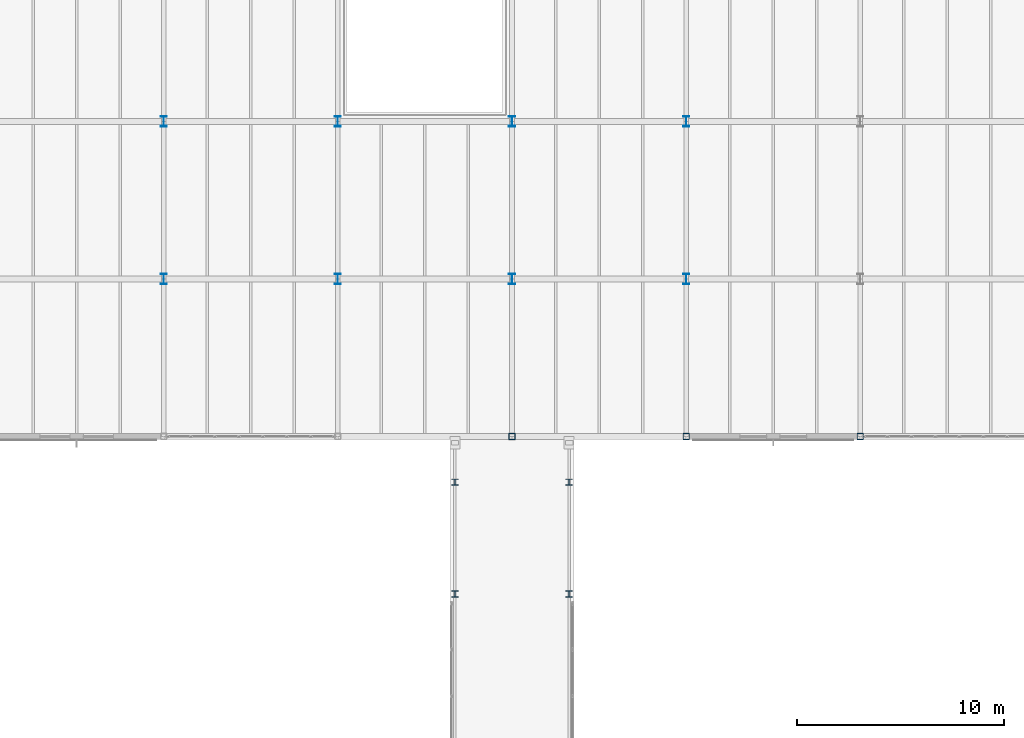
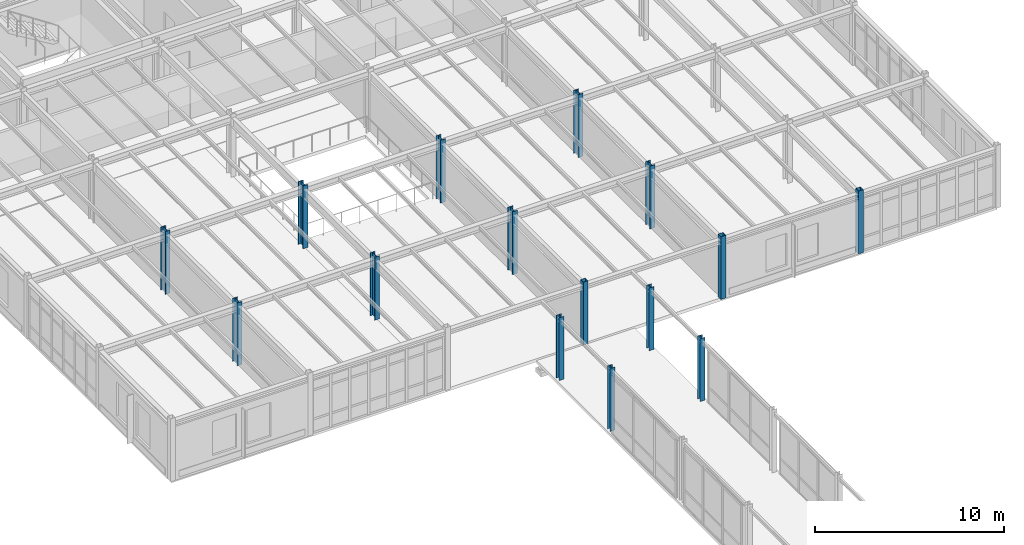
# One storey, part 13 of 165: 15 columns.
"""IFC4 building model written with IfcOpenShell, lengths in metres."""

import ifcopenshell
import ifcopenshell.guid

model = None  # the IFC model being written
_history = None  # IfcOwnerHistory: only IFC2X3 demands one
_inside = {}  # id of a spatial element -> (the spatial element, [elements in it])
_under = {}  # id of a project, library or spatial element -> (it, [spatial elements below it])
_declared = {}  # id of a project -> (the project, [libraries it declares])
_typed = {}  # id of a type object -> (the type object, [elements of that type])
_made_of = {}  # id of a material, layer set ... -> (it, [elements and type objects made of it])


def new_model(schema):
    """Start an empty IFC model of exactly this schema.

    Asked for "IFC4X3", IfcOpenShell would pick the latest addendum, in which some entities
    have other attributes; the version numbers below select the first issue.
    IFC2X3 requires an IfcOwnerHistory on every rooted entity: one is made here for all.
    """
    global model, _history
    if schema == "IFC4X3":
        model = ifcopenshell.file(schema_version=(4, 3, 0, 0))
    else:
        model = ifcopenshell.file(schema=schema)
    _inside.clear()
    _under.clear()
    _declared.clear()
    _typed.clear()
    _made_of.clear()
    _history = None
    if model.schema == "IFC2X3":
        org = make("IfcOrganization", Name="unknown")
        user = make(
            "IfcPersonAndOrganization",
            ThePerson=make("IfcPerson", FamilyName="unknown"),
            TheOrganization=org,
        )
        app = make(
            "IfcApplication",
            ApplicationDeveloper=org,
            Version="unknown",
            ApplicationFullName="unknown",
            ApplicationIdentifier="unknown",
        )
        _history = make(
            "IfcOwnerHistory",
            OwningUser=user,
            OwningApplication=app,
            ChangeAction="ADDED",
            CreationDate=0,
        )
    return model


def make(cls, **values):
    """One entity of the class cls with the attributes given. An attribute that is None is left unset."""
    return model.create_entity(
        cls, **{name: value for name, value in values.items() if value is not None}
    )


def rooted(cls, **values):
    """An entity with a GlobalId (a new one), such as an element, a storey or a relation."""
    return make(cls, GlobalId=ifcopenshell.guid.new(), OwnerHistory=_history, **values)


def si_unit(unit_type, name, prefix=None):
    """IfcSIUnit, for example si_unit("LENGTHUNIT", "METRE", prefix="MILLI")."""
    return make("IfcSIUnit", UnitType=unit_type, Prefix=prefix, Name=name)


def assignment(units):
    """IfcUnitAssignment: the units of a project."""
    return None if units is None else make("IfcUnitAssignment", Units=units)


def point(xyz):
    """IfcCartesianPoint."""
    return None if xyz is None else make("IfcCartesianPoint", Coordinates=xyz)


def direction(xyz):
    """IfcDirection."""
    return None if xyz is None else make("IfcDirection", DirectionRatios=xyz)


def frame(location, z_axis=None, x_axis=None):
    """IfcAxis2Placement3D, a coordinate frame: its origin and axes. An axis left out is left unset."""
    return make(
        "IfcAxis2Placement3D",
        Location=point(location),
        Axis=direction(z_axis),
        RefDirection=direction(x_axis),
    )


def frame_2d(location, x_axis=None):
    """IfcAxis2Placement2D, a coordinate frame in the plane: its origin and x axis."""
    return make(
        "IfcAxis2Placement2D", Location=point(location), RefDirection=direction(x_axis)
    )


def origin():
    """The frame at (0, 0, 0) with its axes left unset."""
    return frame((0.0, 0.0, 0.0))


def origin_2d():
    """The frame at (0, 0) in the plane with its x axis left unset."""
    return frame_2d((0.0, 0.0))


def place(relative_to, where):
    """IfcLocalPlacement: puts the frame where relative to a parent placement (None: the world)."""
    return make(
        "IfcLocalPlacement", PlacementRelTo=relative_to, RelativePlacement=where
    )


def context(
    kind, dimensions, precision=None, world=None, true_north=None, identifier=None
):
    """IfcGeometricRepresentationContext, for example the 3D "Model" context."""
    return make(
        "IfcGeometricRepresentationContext",
        ContextIdentifier=identifier,
        ContextType=kind,
        CoordinateSpaceDimension=dimensions,
        Precision=precision,
        WorldCoordinateSystem=world,
        TrueNorth=true_north,
    )


def subcontext(parent, identifier, kind, view, scale=None):
    """IfcGeometricRepresentationSubContext, for example "Body" below "Model"."""
    return make(
        "IfcGeometricRepresentationSubContext",
        ContextIdentifier=identifier,
        ContextType=kind,
        ParentContext=parent,
        TargetScale=scale,
        TargetView=view,
    )


def project(units=None, contexts=None):
    """IfcProject with its units and contexts."""
    return rooted(
        "IfcProject",
        Name="project",
        RepresentationContexts=contexts,
        UnitsInContext=assignment(units),
    )


def spatial(cls, under=None, at=None, **own):
    """A site, building, storey or space (cls), placed at a placement, below another one or the project."""
    s = rooted(cls, ObjectPlacement=at, **own)
    if under is not None:
        _under.setdefault(under.id(), (under, []))[1].append(s)
    return s


def profile(cls, at=None, kind="AREA", **sizes):
    """A parametric profile (cls). Its sizes go by their IFC names, for example OverallWidth=200.0."""
    return make(cls, ProfileType=kind, Position=at, **sizes)


def hollow_rectangle(**sizes):
    """IfcRectangleHollowProfileDef."""
    return profile("IfcRectangleHollowProfileDef", **sizes)


def i_section(**sizes):
    """IfcIShapeProfileDef."""
    return profile("IfcIShapeProfileDef", **sizes)


def extrude(swept, where, along, depth):
    """IfcExtrudedAreaSolid: the profile swept, set in the frame where, extruded along a direction by depth."""
    return make(
        "IfcExtrudedAreaSolid",
        SweptArea=swept,
        Position=where,
        ExtrudedDirection=direction(along),
        Depth=depth,
    )


def shape(context_of_items, identifier, shape_type, items):
    """IfcShapeRepresentation: the items that make up one representation, for example the "Body"."""
    return make(
        "IfcShapeRepresentation",
        ContextOfItems=context_of_items,
        RepresentationIdentifier=identifier,
        RepresentationType=shape_type,
        Items=items,
    )


def material(Name=None, Category=None):
    """IfcMaterial."""
    return make("IfcMaterial", Name=Name, Category=Category)


def material_profile(
    of_material, cross_section, Name=None, Category=None, Priority=None
):
    """IfcMaterialProfile: a cross section and its material."""
    return make(
        "IfcMaterialProfile",
        Name=Name,
        Material=of_material,
        Profile=cross_section,
        Priority=Priority,
        Category=Category,
    )


def profile_set(profiles, Name=None, composite=None):
    """IfcMaterialProfileSet."""
    return make(
        "IfcMaterialProfileSet",
        Name=Name,
        MaterialProfiles=profiles,
        CompositeProfile=composite,
    )


def made_of(thing, what):
    """Note that an element or type object is made of a material, layer set ...; save() writes the relation."""
    if what is not None:
        _made_of.setdefault(what.id(), (what, []))[1].append(thing)
    return thing


def type_object(cls, material=None, **own):
    """A type object (cls), such as IfcWallType, which elements share."""
    return made_of(rooted(cls, **own), material)


def element(
    cls,
    number,
    at=None,
    inside=None,
    cuts=None,
    type_object=None,
    material=None,
    context=None,
    identifier="Body",
    shape_type=None,
    held_by="IfcProductDefinitionShape",
    body=None,
    shapes=None,
    **own,
):
    """One element of the class cls, such as IfcWall. Its Tag is "e" and its number.

    at: its placement. inside: the storey or other place that contains it. cuts: it is an
    opening in that element (IfcRelVoidsElement). A single representation is given by context,
    identifier, shape_type and body (its items); several are given by shapes. held_by: the class
    of the entity that holds the representations. save() writes the other relations.
    """
    e = rooted(cls, Tag="e%d" % number, ObjectPlacement=at, **own)
    if body is not None:
        shapes = [shape(context, identifier, shape_type, body)]
    if shapes is not None:
        e.Representation = make(held_by, Representations=shapes)
    if inside is not None:
        _inside.setdefault(inside.id(), (inside, []))[1].append(e)
    if cuts is not None:
        rooted(
            "IfcRelVoidsElement", RelatingBuildingElement=cuts, RelatedOpeningElement=e
        )
    if type_object is not None:
        _typed.setdefault(type_object.id(), (type_object, []))[1].append(e)
    return made_of(e, material)


def aggregate(whole, parts):
    """IfcRelAggregates: a whole, such as a stair, and the parts it consists of."""
    return rooted("IfcRelAggregates", RelatingObject=whole, RelatedObjects=parts)


def save(model, path):
    """Write the relations noted so far, then the file.

    IfcRelAggregates (storeys below a building ...), IfcRelContainedInSpatialStructure (elements
    in a storey), IfcRelDefinesByType, IfcRelAssociatesMaterial and IfcRelDeclares: one each for
    every whole, place, type object, material and project.
    """
    for whole, parts in _under.values():
        aggregate(whole, parts)
    for where, things in _inside.values():
        rooted(
            "IfcRelContainedInSpatialStructure",
            RelatedElements=things,
            RelatingStructure=where,
        )
    for kind, things in _typed.values():
        rooted("IfcRelDefinesByType", RelatedObjects=things, RelatingType=kind)
    for what, things in _made_of.values():
        rooted("IfcRelAssociatesMaterial", RelatedObjects=things, RelatingMaterial=what)
    for by, libraries in _declared.values():
        rooted("IfcRelDeclares", RelatingContext=by, RelatedDefinitions=libraries)
    model.write(path)


model = new_model("IFC4")

# Units and contexts
model_context = context("Model", 3, precision=1e-05, world=origin(), true_north=direction((0.0, 1.0)))
body_context = subcontext(model_context, "Body", "Model", "MODEL_VIEW")
ifc_project = project(units=[si_unit("LENGTHUNIT", "METRE"), si_unit("AREAUNIT", "SQUARE_METRE"), si_unit("VOLUMEUNIT", "CUBIC_METRE"), si_unit("PLANEANGLEUNIT", "RADIAN"), si_unit("MASSUNIT", "GRAM", prefix="KILO")], contexts=[model_context])

# Site, building, storey
site_placement = place(None, origin())
site = spatial("IfcSite", under=ifc_project, at=site_placement, CompositionType="ELEMENT")
building_placement = place(site_placement, origin())
building = spatial("IfcBuilding", under=site, at=building_placement, Name="Montecoro Central Library", CompositionType="ELEMENT")
storey_placement = place(building_placement, frame((0.0, 0.0, 5.10009765625)))
storey = spatial("IfcBuildingStorey", under=building, at=storey_placement, Name="L01", CompositionType="ELEMENT", Elevation=5.10009765625)

# Columns
ifc_material_1 = material(Name="Steel S355", Category="steel")
ifc_material_profile_1 = material_profile(ifc_material_1, i_section(OverallWidth=0.300048828125, OverallDepth=0.300048828125, WebThickness=0.010986328125, FlangeThickness=0.01904296875, at=origin_2d()), Name="HEB 300")
ifc_profile_set_1 = profile_set([ifc_material_profile_1], Name="Steel S355")
column_type_1 = type_object("IfcColumnType", Name="COL-HEB300", PredefinedType="COLUMN", material=ifc_profile_set_1)
for number, where, z_axis, x_axis, name in (
    (1, (88.85009765625, 73.39990234375, 0.0), (0.0, 0.0, 1.0), (1.0, 0.0, 0.0), "BR-N-L01-COL-888-734"),
    (2, (94.35009765625, 73.39990234375, 0.0), (0.0, 0.0, 1.0), (1.0, 0.0, 0.0), "BR-N-L01-COL-943-734"),
    (3, (88.85009765625, 78.800048828125, 0.0), (0.0, 0.0, 1.0), (1.0, 0.0, 0.0), "BR-N-L01-COL-888-788"),
    (4, (94.35009765625, 78.800048828125, 0.0), (0.0, 0.0, 1.0), (1.0, 0.0, 0.0), "BR-N-L01-COL-943-788"),
):
    element("IfcColumn", number, at=place(storey_placement, frame(where, z_axis=z_axis, x_axis=x_axis)), inside=storey, type_object=column_type_1, Name=name, PredefinedType="COLUMN", context=body_context, shape_type="SweptSolid", body=[
        extrude(i_section(OverallWidth=0.300048828125, OverallDepth=0.300048828125, WebThickness=0.010986328125, FlangeThickness=0.01904296875, at=origin_2d()), origin(), (0.0, 0.0, 1.0), 4.054931640625),
    ])
ifc_material_2 = material(Name="Steel S355J2", Category="steel")
ifc_material_profile_2 = material_profile(ifc_material_2, i_section(OverallWidth=0.300048828125, OverallDepth=0.5, WebThickness=0.014404296875, FlangeThickness=0.028076171875, at=origin_2d()), Name="HEB 500")
ifc_profile_set_2 = profile_set([ifc_material_profile_2], Name="Steel S355J2")
column_type_2 = type_object("IfcColumnType", Name="COL-HEB500", PredefinedType="COLUMN", material=ifc_profile_set_2)
for number, where, z_axis, x_axis, name in (
    (5, (74.800048828125, 88.60009765625, 0.0), (0.0, 0.0, 1.0), (1.0, 0.0, 0.0), "V2-L01-COL-10-M"),
    (6, (74.800048828125, 96.199951171875, 0.0), (0.0, 0.0, 1.0), (1.0, 0.0, 0.0), "V2-L01-COL-10-N"),
    (7, (83.199951171875, 88.60009765625, 0.0), (0.0, 0.0, 1.0), (1.0, 0.0, 0.0), "V2-L01-COL-11-M"),
    (8, (83.199951171875, 96.199951171875, 0.0), (0.0, 0.0, 1.0), (1.0, 0.0, 0.0), "V2-L01-COL-11-N"),
    (9, (91.60009765625, 88.60009765625, 0.0), (0.0, 0.0, 1.0), (1.0, 0.0, 0.0), "V2-L01-COL-12-M"),
    (10, (91.60009765625, 96.199951171875, 0.0), (0.0, 0.0, 1.0), (1.0, 0.0, 0.0), "V2-L01-COL-12-N"),
    (11, (100.0, 88.60009765625, 0.0), (0.0, 0.0, 1.0), (1.0, 0.0, 0.0), "V2-L01-COL-13-M"),
    (12, (100.0, 96.199951171875, 0.0), (0.0, 0.0, 1.0), (1.0, 0.0, 0.0), "V2-L01-COL-13-N"),
):
    element("IfcColumn", number, at=place(storey_placement, frame(where, z_axis=z_axis, x_axis=x_axis)), inside=storey, type_object=column_type_2, Name=name, PredefinedType="COLUMN", context=body_context, shape_type="SweptSolid", body=[
        extrude(i_section(OverallWidth=0.300048828125, OverallDepth=0.5, WebThickness=0.014404296875, FlangeThickness=0.028076171875, at=origin_2d()), origin(), (0.0, 0.0, 1.0), 4.054931640625),
    ])
ifc_material_profile_3 = material_profile(ifc_material_1, hollow_rectangle(XDim=0.300048828125, YDim=0.300048828125, WallThickness=0.012451171875, at=origin_2d()), Name="SHS 300x300x12.5")
ifc_profile_set_3 = profile_set([ifc_material_profile_3], Name="Steel S355")
column_type_3 = type_object("IfcColumnType", Name="COL-SHS300", PredefinedType="COLUMN", material=ifc_profile_set_3)
for number, where, z_axis, x_axis, name in (
    (13, (91.60009765625, 81.0, 0.0), (0.0, 0.0, 1.0), (1.0, 0.0, 0.0), "V2-L01-COL-12-L"),
    (14, (100.0, 81.0, 0.0), (0.0, 0.0, 1.0), (1.0, 0.0, 0.0), "V2-L01-COL-13-L"),
    (15, (108.39990234375, 81.0, 0.0), (0.0, 0.0, 1.0), (1.0, 0.0, 0.0), "V2-L01-COL-14-L"),
):
    element("IfcColumn", number, at=place(storey_placement, frame(where, z_axis=z_axis, x_axis=x_axis)), inside=storey, type_object=column_type_3, Name=name, PredefinedType="COLUMN", context=body_context, shape_type="SweptSolid", body=[
        extrude(hollow_rectangle(XDim=0.300048828125, YDim=0.300048828125, WallThickness=0.012451171875, at=origin_2d()), origin(), (0.0, 0.0, 1.0), 4.054931640625),
    ])

save(model, "model.ifc")
